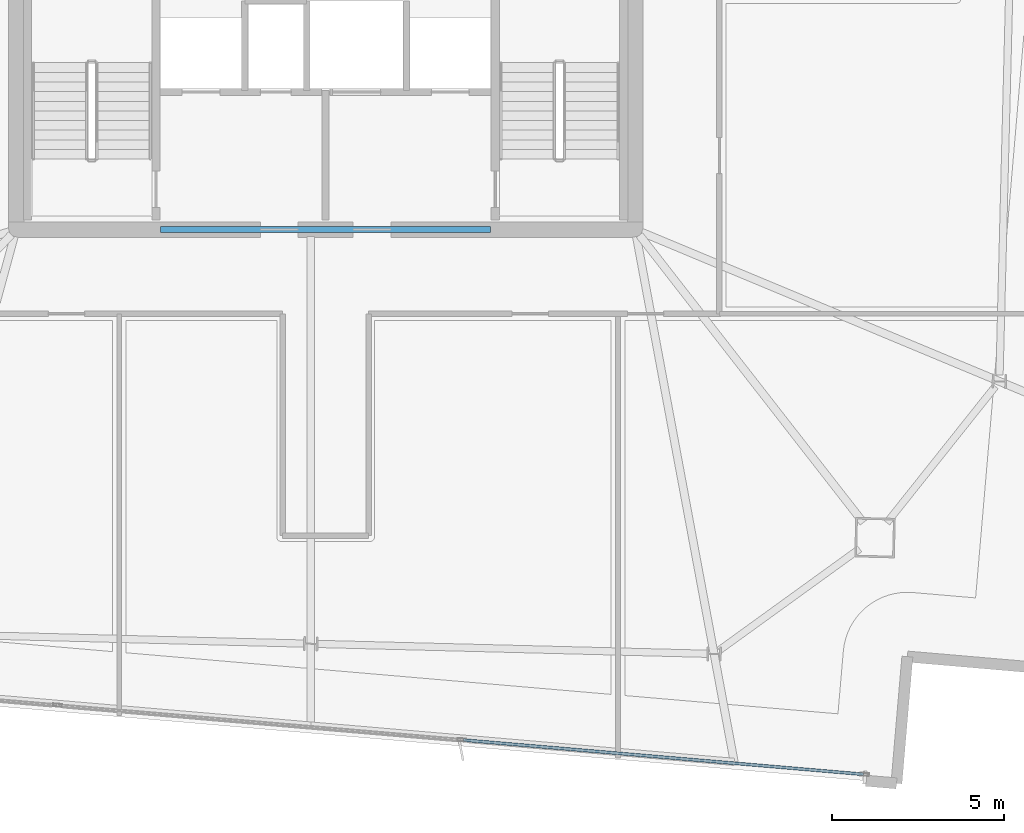
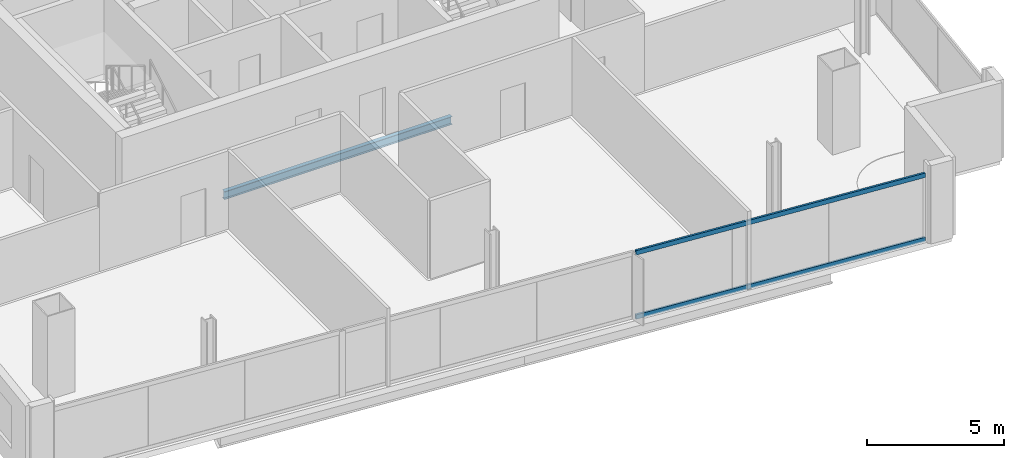
# One storey, part 8 of 24: 2 members, 1 beam, 1 element without a shape of its own.
"""IFC4 building model written with IfcOpenShell, lengths in metres."""

from ifc_helpers import new_model, si_unit, direction, frame, origin, origin_2d, place, context, subcontext, project, spatial, hollow_rectangle, i_section, extrude, material, material_profile, profile_set, type_object, element, aggregate, save


model = new_model("IFC4")

# Units and contexts
model_context = context("Model", 3, precision=1e-05, world=origin(), true_north=direction((0.0, 1.0)))
body_context = subcontext(model_context, "Body", "Model", "MODEL_VIEW")
ifc_project = project(units=[si_unit("LENGTHUNIT", "METRE"), si_unit("AREAUNIT", "SQUARE_METRE"), si_unit("VOLUMEUNIT", "CUBIC_METRE"), si_unit("PLANEANGLEUNIT", "RADIAN"), si_unit("MASSUNIT", "GRAM", prefix="KILO")], contexts=[model_context])

# Site, building, storey
site_placement = place(None, origin())
site = spatial("IfcSite", under=ifc_project, at=site_placement, CompositionType="ELEMENT")
building_placement = place(site_placement, origin())
building = spatial("IfcBuilding", under=site, at=building_placement, Name="Haldenkirk Collegiate Tower", CompositionType="ELEMENT")
storey_placement = place(building_placement, frame((0.0, 0.0, 313.949951171875)))
storey = spatial("IfcBuildingStorey", under=building, at=storey_placement, Name="L79", CompositionType="ELEMENT", Elevation=313.949951171875)

# Beam
ifc_material_1 = material(Name="Steel ASTM A992 Grade 50", Category="steel")
ifc_material_profile_1 = material_profile(ifc_material_1, i_section(OverallWidth=0.1708984375, OverallDepth=0.35595703125, WebThickness=0.007080078125, FlangeThickness=0.01171875, at=origin_2d()), Name="W14X34")
ifc_profile_set_1 = profile_set([ifc_material_profile_1], Name="Steel ASTM A992 Grade 50")
beam_type = type_object("IfcBeamType", Name="BM-LINTEL-W14X34", PredefinedType="LINTEL", material=ifc_profile_set_1)
beam_placement = place(storey_placement, frame((31.199951171875, 18.0, -0.43798828125), z_axis=(1.0, 0.0, 0.0), x_axis=(0.0, 1.0, 0.0)))
element("IfcBeam", 1, at=beam_placement, inside=storey, type_object=beam_type, Name="L79 south core coupling lintel", PredefinedType="LINTEL", context=body_context, shape_type="SweptSolid", body=[
    extrude(i_section(OverallWidth=0.1708984375, OverallDepth=0.35595703125, WebThickness=0.007080078125, FlangeThickness=0.01171875, at=origin_2d()), origin(), (0.0, 0.0, 1.0), 9.60009765625),
])

# Curtain wall, members
ifc_material_2 = material(Name="Anodised architectural bronze aluminium", Category="aluminium")
curtain_wall_type = type_object("IfcCurtainWallType", Name="CW-SYS1B-CONVEX-HI", PredefinedType="USERDEFINED", material=ifc_material_2)
curtain_wall_placement = place(storey_placement, origin())
curtain_wall = element("IfcCurtainWall", 2, at=curtain_wall_placement, inside=storey, type_object=curtain_wall_type, Name="L79 Upper tower high-wind convex bronze unitised curtain wall", ObjectType="UNITISED CURTAIN WALL", PredefinedType="USERDEFINED")
ifc_material_profile_2 = material_profile(ifc_material_2, hollow_rectangle(XDim=0.0849609375, YDim=0.199951171875, WallThickness=0.0048828125, at=origin_2d()), Name="CW-TRN-1B")
ifc_profile_set_2 = profile_set([ifc_material_profile_2], Name="Anodised architectural bronze aluminium")
member_type = type_object("IfcMemberType", Name="CW-TRN-1B", PredefinedType="USERDEFINED", material=ifc_profile_set_2)
member_1_placement = place(storey_placement, frame((51.635498046875, 2.1572265625, 0.04248046875), z_axis=(-0.996344869081, 0.085421905014, 0.0), x_axis=(-0.085421905014, -0.996344869081, 0.0)))
member_1 = element("IfcMember", 3, at=member_1_placement, type_object=member_type, Name="CW-1B transom 1.1", ObjectType="TRANSOM", PredefinedType="USERDEFINED", context=body_context, shape_type="SweptSolid", body=[
    extrude(hollow_rectangle(XDim=0.0849609375, YDim=0.199951171875, WallThickness=0.0048828125, at=origin_2d()), origin(), (0.0, 0.0, 1.0), 11.67236328125),
])
member_2_placement = place(storey_placement, frame((51.635498046875, 2.1572265625, 2.905517578125), z_axis=(-0.996344869081, 0.085421905014, 0.0), x_axis=(-0.085421905014, -0.996344869081, 0.0)))
member_2 = element("IfcMember", 4, at=member_2_placement, type_object=member_type, Name="CW-1B transom 1.2", ObjectType="TRANSOM", PredefinedType="USERDEFINED", context=body_context, shape_type="SweptSolid", body=[
    extrude(hollow_rectangle(XDim=0.0849609375, YDim=0.199951171875, WallThickness=0.0048828125, at=origin_2d()), origin(), (0.0, 0.0, 1.0), 11.67236328125),
])
aggregate(curtain_wall, [member_1, member_2])

save(model, "model.ifc")
